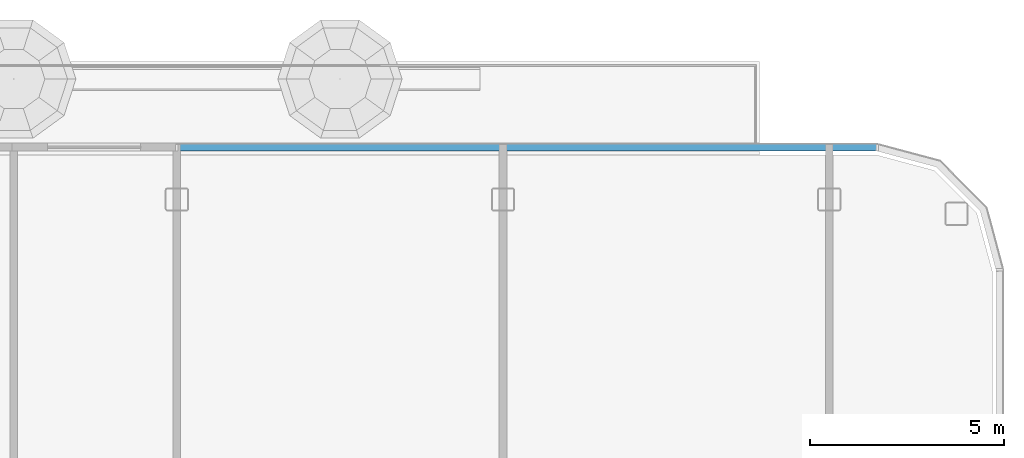
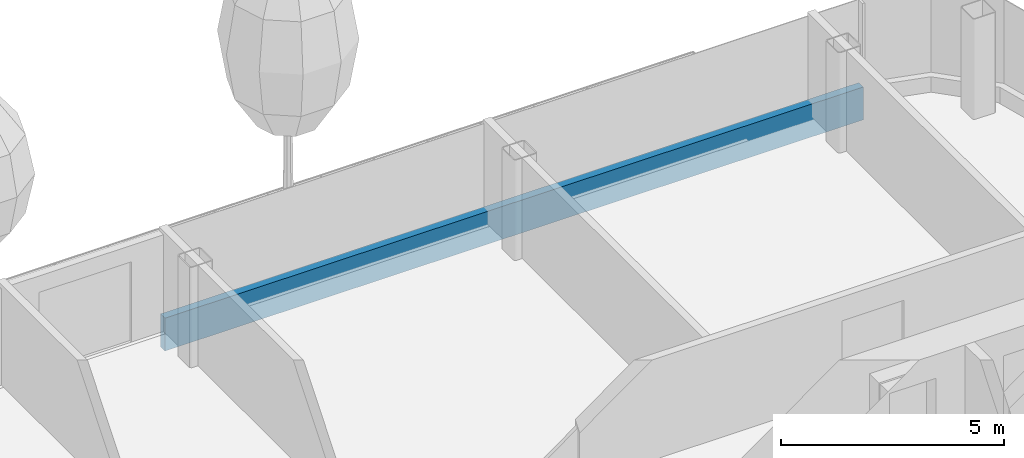
# One storey, part 6 of 29: 1 member, 1 element without a shape of its own.
"""IFC4 building model written with IfcOpenShell, lengths in metres."""

from ifc_helpers import new_model, si_unit, direction, frame, origin, origin_2d, place, context, subcontext, project, spatial, rectangle, extrude, material, layer, layer_set, material_profile, profile_set, type_object, element, aggregate, save


model = new_model("IFC4")

# Units and contexts
model_context = context("Model", 3, precision=1e-05, world=origin(), true_north=direction((0.0, 1.0)))
body_context = subcontext(model_context, "Body", "Model", "MODEL_VIEW")
ifc_project = project(units=[si_unit("LENGTHUNIT", "METRE"), si_unit("AREAUNIT", "SQUARE_METRE"), si_unit("VOLUMEUNIT", "CUBIC_METRE"), si_unit("PLANEANGLEUNIT", "RADIAN"), si_unit("MASSUNIT", "GRAM", prefix="KILO")], contexts=[model_context])

# Site, building, storey
site_placement = place(None, origin())
site = spatial("IfcSite", under=ifc_project, at=site_placement, CompositionType="ELEMENT")
building_placement = place(site_placement, origin())
building = spatial("IfcBuilding", under=site, at=building_placement, Name="Hakoniwa Tower and Hamabe Station Hall", CompositionType="ELEMENT")
storey_placement = place(building_placement, frame((0.0, 0.0, 205.800048828125)))
storey = spatial("IfcBuildingStorey", under=building, at=storey_placement, Name="L58", CompositionType="ELEMENT", Elevation=205.800048828125)

# Curtain wall, member
ifc_material_1 = material(Name="Dark low-e laminated glass", Category="glass")
ifc_layer = layer(ifc_material_1, 0.199951171875)
ifc_layer_set = layer_set([ifc_layer], Name="CW-1 UNITISED GUEST")
curtain_wall_type = type_object("IfcCurtainWallType", Name="CW-1 UNITISED GUEST", PredefinedType="NOTDEFINED", material=ifc_layer_set)
curtain_wall_placement = place(storey_placement, origin())
curtain_wall = element("IfcCurtainWall", 1, at=curtain_wall_placement, inside=storey, type_object=curtain_wall_type, Name="CW-1 curtain wall", PredefinedType="NOTDEFINED")
ifc_material_2 = material(Name="Aluminium 6063-T5 black anodised", Category="aluminium")
ifc_material_profile = material_profile(ifc_material_2, rectangle(XDim=0.199951171875, YDim=0.89990234375, at=origin_2d()), Name="CW SLAB-EDGE BAND 900X200")
ifc_profile_set = profile_set([ifc_material_profile], Name="Aluminium 6063-T5 black anodised")
member_type = type_object("IfcMemberType", Name="CW SLAB-EDGE BAND 900X200", PredefinedType="USERDEFINED", material=ifc_profile_set)
member_placement = place(storey_placement, frame((34.839599609375, 20.449951171875, -0.10009765625), z_axis=(-1.0, 0.0, 0.0), x_axis=(0.0, -1.0, 0.0)))
member = element("IfcMember", 2, at=member_placement, type_object=member_type, Name="CW-1 transom", ObjectType="TRANSOM", PredefinedType="USERDEFINED", context=body_context, shape_type="SweptSolid", body=[
    extrude(rectangle(XDim=0.199951171875, YDim=0.89990234375, at=origin_2d()), origin(), (0.0, 0.0, 1.0), 18.099609375),
])
aggregate(curtain_wall, [member])

save(model, "model.ifc")
